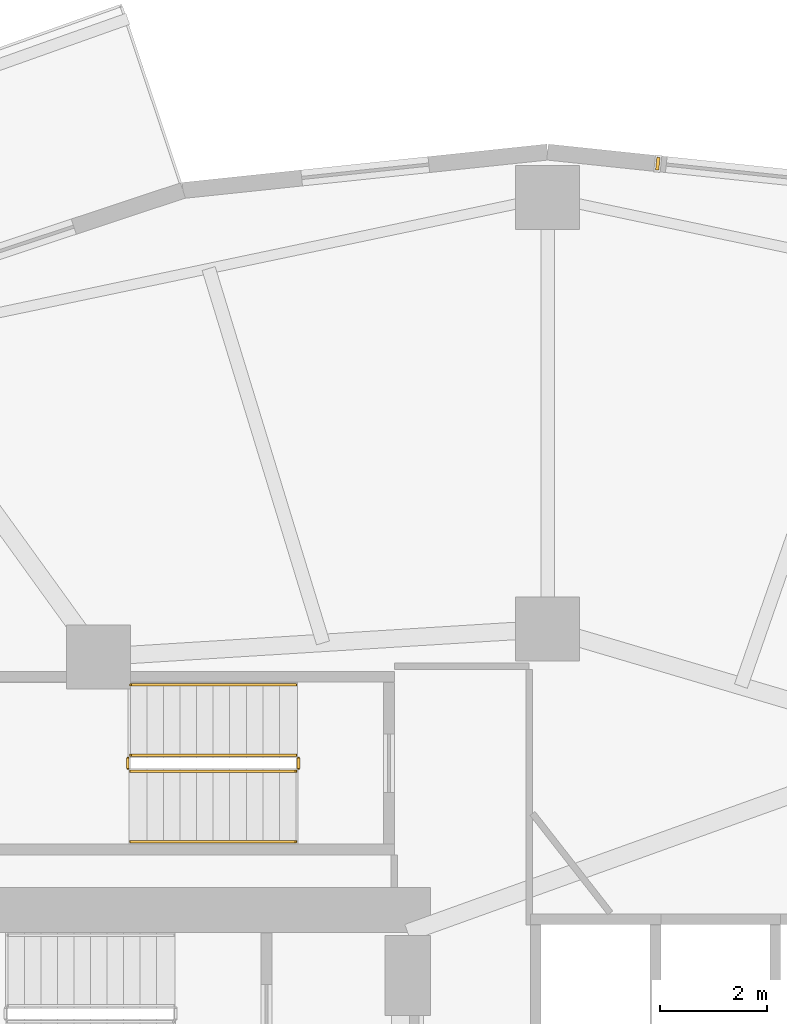
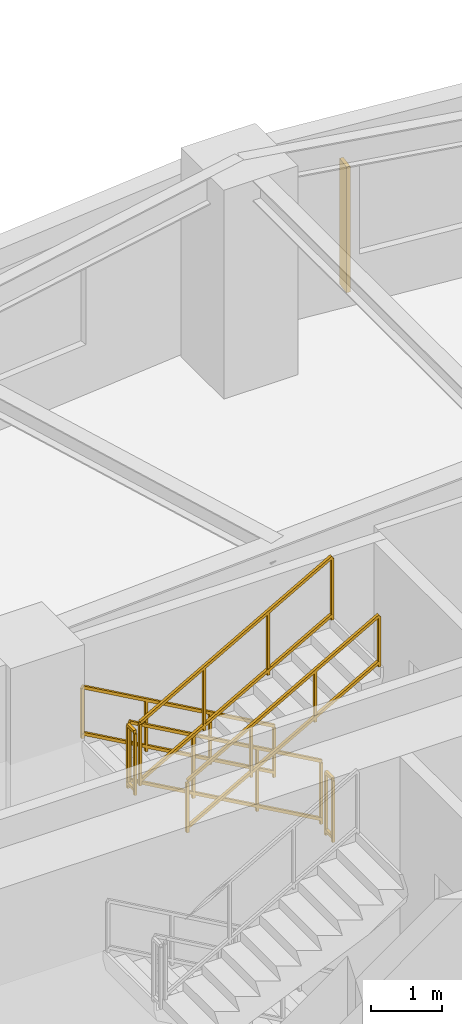
# One storey, part 19 of 19: 6 railings, 1 shading device.
"""IFC4 building model written with IfcOpenShell, lengths in metres."""

import ifcopenshell
import ifcopenshell.guid

model = None  # the IFC model being written
_history = None  # IfcOwnerHistory: only IFC2X3 demands one
_inside = {}  # id of a spatial element -> (the spatial element, [elements in it])
_under = {}  # id of a project, library or spatial element -> (it, [spatial elements below it])
_declared = {}  # id of a project -> (the project, [libraries it declares])
_typed = {}  # id of a type object -> (the type object, [elements of that type])
_made_of = {}  # id of a material, layer set ... -> (it, [elements and type objects made of it])


def new_model(schema):
    """Start an empty IFC model of exactly this schema.

    Asked for "IFC4X3", IfcOpenShell would pick the latest addendum, in which some entities
    have other attributes; the version numbers below select the first issue.
    IFC2X3 requires an IfcOwnerHistory on every rooted entity: one is made here for all.
    """
    global model, _history
    if schema == "IFC4X3":
        model = ifcopenshell.file(schema_version=(4, 3, 0, 0))
    else:
        model = ifcopenshell.file(schema=schema)
    _inside.clear()
    _under.clear()
    _declared.clear()
    _typed.clear()
    _made_of.clear()
    _history = None
    if model.schema == "IFC2X3":
        org = make("IfcOrganization", Name="unknown")
        user = make(
            "IfcPersonAndOrganization",
            ThePerson=make("IfcPerson", FamilyName="unknown"),
            TheOrganization=org,
        )
        app = make(
            "IfcApplication",
            ApplicationDeveloper=org,
            Version="unknown",
            ApplicationFullName="unknown",
            ApplicationIdentifier="unknown",
        )
        _history = make(
            "IfcOwnerHistory",
            OwningUser=user,
            OwningApplication=app,
            ChangeAction="ADDED",
            CreationDate=0,
        )
    return model


def make(cls, **values):
    """One entity of the class cls with the attributes given. An attribute that is None is left unset."""
    return model.create_entity(
        cls, **{name: value for name, value in values.items() if value is not None}
    )


def rooted(cls, **values):
    """An entity with a GlobalId (a new one), such as an element, a storey or a relation."""
    return make(cls, GlobalId=ifcopenshell.guid.new(), OwnerHistory=_history, **values)


def si_unit(unit_type, name, prefix=None):
    """IfcSIUnit, for example si_unit("LENGTHUNIT", "METRE", prefix="MILLI")."""
    return make("IfcSIUnit", UnitType=unit_type, Prefix=prefix, Name=name)


def assignment(units):
    """IfcUnitAssignment: the units of a project."""
    return None if units is None else make("IfcUnitAssignment", Units=units)


def point(xyz):
    """IfcCartesianPoint."""
    return None if xyz is None else make("IfcCartesianPoint", Coordinates=xyz)


def direction(xyz):
    """IfcDirection."""
    return None if xyz is None else make("IfcDirection", DirectionRatios=xyz)


def frame(location, z_axis=None, x_axis=None):
    """IfcAxis2Placement3D, a coordinate frame: its origin and axes. An axis left out is left unset."""
    return make(
        "IfcAxis2Placement3D",
        Location=point(location),
        Axis=direction(z_axis),
        RefDirection=direction(x_axis),
    )


def frame_2d(location, x_axis=None):
    """IfcAxis2Placement2D, a coordinate frame in the plane: its origin and x axis."""
    return make(
        "IfcAxis2Placement2D", Location=point(location), RefDirection=direction(x_axis)
    )


def origin():
    """The frame at (0, 0, 0) with its axes left unset."""
    return frame((0.0, 0.0, 0.0))


def origin_2d():
    """The frame at (0, 0) in the plane with its x axis left unset."""
    return frame_2d((0.0, 0.0))


def place(relative_to, where):
    """IfcLocalPlacement: puts the frame where relative to a parent placement (None: the world)."""
    return make(
        "IfcLocalPlacement", PlacementRelTo=relative_to, RelativePlacement=where
    )


def context(
    kind, dimensions, precision=None, world=None, true_north=None, identifier=None
):
    """IfcGeometricRepresentationContext, for example the 3D "Model" context."""
    return make(
        "IfcGeometricRepresentationContext",
        ContextIdentifier=identifier,
        ContextType=kind,
        CoordinateSpaceDimension=dimensions,
        Precision=precision,
        WorldCoordinateSystem=world,
        TrueNorth=true_north,
    )


def subcontext(parent, identifier, kind, view, scale=None):
    """IfcGeometricRepresentationSubContext, for example "Body" below "Model"."""
    return make(
        "IfcGeometricRepresentationSubContext",
        ContextIdentifier=identifier,
        ContextType=kind,
        ParentContext=parent,
        TargetScale=scale,
        TargetView=view,
    )


def project(units=None, contexts=None):
    """IfcProject with its units and contexts."""
    return rooted(
        "IfcProject",
        Name="project",
        RepresentationContexts=contexts,
        UnitsInContext=assignment(units),
    )


def spatial(cls, under=None, at=None, **own):
    """A site, building, storey or space (cls), placed at a placement, below another one or the project."""
    s = rooted(cls, ObjectPlacement=at, **own)
    if under is not None:
        _under.setdefault(under.id(), (under, []))[1].append(s)
    return s


def profile(cls, at=None, kind="AREA", **sizes):
    """A parametric profile (cls). Its sizes go by their IFC names, for example OverallWidth=200.0."""
    return make(cls, ProfileType=kind, Position=at, **sizes)


def rectangle(**sizes):
    """IfcRectangleProfileDef."""
    return profile("IfcRectangleProfileDef", **sizes)


def extrude(swept, where, along, depth):
    """IfcExtrudedAreaSolid: the profile swept, set in the frame where, extruded along a direction by depth."""
    return make(
        "IfcExtrudedAreaSolid",
        SweptArea=swept,
        Position=where,
        ExtrudedDirection=direction(along),
        Depth=depth,
    )


def shape(context_of_items, identifier, shape_type, items):
    """IfcShapeRepresentation: the items that make up one representation, for example the "Body"."""
    return make(
        "IfcShapeRepresentation",
        ContextOfItems=context_of_items,
        RepresentationIdentifier=identifier,
        RepresentationType=shape_type,
        Items=items,
    )


def material(Name=None, Category=None):
    """IfcMaterial."""
    return make("IfcMaterial", Name=Name, Category=Category)


def made_of(thing, what):
    """Note that an element or type object is made of a material, layer set ...; save() writes the relation."""
    if what is not None:
        _made_of.setdefault(what.id(), (what, []))[1].append(thing)
    return thing


def type_object(cls, material=None, **own):
    """A type object (cls), such as IfcWallType, which elements share."""
    return made_of(rooted(cls, **own), material)


def element(
    cls,
    number,
    at=None,
    inside=None,
    cuts=None,
    type_object=None,
    material=None,
    context=None,
    identifier="Body",
    shape_type=None,
    held_by="IfcProductDefinitionShape",
    body=None,
    shapes=None,
    **own,
):
    """One element of the class cls, such as IfcWall. Its Tag is "e" and its number.

    at: its placement. inside: the storey or other place that contains it. cuts: it is an
    opening in that element (IfcRelVoidsElement). A single representation is given by context,
    identifier, shape_type and body (its items); several are given by shapes. held_by: the class
    of the entity that holds the representations. save() writes the other relations.
    """
    e = rooted(cls, Tag="e%d" % number, ObjectPlacement=at, **own)
    if body is not None:
        shapes = [shape(context, identifier, shape_type, body)]
    if shapes is not None:
        e.Representation = make(held_by, Representations=shapes)
    if inside is not None:
        _inside.setdefault(inside.id(), (inside, []))[1].append(e)
    if cuts is not None:
        rooted(
            "IfcRelVoidsElement", RelatingBuildingElement=cuts, RelatedOpeningElement=e
        )
    if type_object is not None:
        _typed.setdefault(type_object.id(), (type_object, []))[1].append(e)
    return made_of(e, material)


def aggregate(whole, parts):
    """IfcRelAggregates: a whole, such as a stair, and the parts it consists of."""
    return rooted("IfcRelAggregates", RelatingObject=whole, RelatedObjects=parts)


def save(model, path):
    """Write the relations noted so far, then the file.

    IfcRelAggregates (storeys below a building ...), IfcRelContainedInSpatialStructure (elements
    in a storey), IfcRelDefinesByType, IfcRelAssociatesMaterial and IfcRelDeclares: one each for
    every whole, place, type object, material and project.
    """
    for whole, parts in _under.values():
        aggregate(whole, parts)
    for where, things in _inside.values():
        rooted(
            "IfcRelContainedInSpatialStructure",
            RelatedElements=things,
            RelatingStructure=where,
        )
    for kind, things in _typed.values():
        rooted("IfcRelDefinesByType", RelatedObjects=things, RelatingType=kind)
    for what, things in _made_of.values():
        rooted("IfcRelAssociatesMaterial", RelatedObjects=things, RelatingMaterial=what)
    for by, libraries in _declared.values():
        rooted("IfcRelDeclares", RelatingContext=by, RelatedDefinitions=libraries)
    model.write(path)


model = new_model("IFC4")

# Units and contexts
model_context = context("Model", 3, precision=1e-05, world=origin(), true_north=direction((0.0, 1.0)))
body_context = subcontext(model_context, "Body", "Model", "MODEL_VIEW")
ifc_project = project(units=[si_unit("LENGTHUNIT", "METRE"), si_unit("AREAUNIT", "SQUARE_METRE"), si_unit("VOLUMEUNIT", "CUBIC_METRE"), si_unit("PLANEANGLEUNIT", "RADIAN"), si_unit("MASSUNIT", "GRAM", prefix="KILO")], contexts=[model_context])

# Site, building, storey
site_placement = place(None, origin())
site = spatial("IfcSite", under=ifc_project, at=site_placement, CompositionType="ELEMENT")
building_placement = place(site_placement, origin())
building = spatial("IfcBuilding", under=site, at=building_placement, Name="Kolvaren Gate Tower and Convention Centre", CompositionType="ELEMENT")
storey_placement = place(building_placement, frame((0.0, 0.0, 68.85009765625)))
storey = spatial("IfcBuildingStorey", under=building, at=storey_placement, Name="L16", CompositionType="ELEMENT", Elevation=68.85009765625)

# Railings
ifc_material_1 = material(Name="Brushed Stainless Steel Grade 316L", Category="steel")
railing_type_1 = type_object("IfcRailingType", Name="ARCH-RL-GUARD-1150", PredefinedType="GUARDRAIL", material=ifc_material_1)
railing_1_placement = place(storey_placement, frame((25.39990234375, 36.830078125, 0.1748046875)))
element("IfcRailing", 1, at=railing_1_placement, inside=storey, type_object=railing_type_1, Name="L16 ST-T3 stair guard 1", PredefinedType="GUARDRAIL", context=body_context, shape_type="SweptSolid", body=[
    extrude(rectangle(XDim=0.048095703125, YDim=0.048095703125, at=origin_2d()), frame((0.0, 0.0, 1.076171875), z_axis=(-0.870814364268, 0.0, 0.491611984175), x_axis=(0.0, -1.0, 0.0)), (0.0, 0.0, 1.0), 3.559814453125),
    extrude(rectangle(XDim=0.048095703125, YDim=0.048095703125, at=origin_2d()), frame((0.0, 0.0, 0.083984375), z_axis=(-0.870814364268, 0.0, 0.491611984175), x_axis=(0.0, -1.0, 0.0)), (0.0, 0.0, 1.0), 3.559814453125),
    extrude(rectangle(XDim=0.0419921875, YDim=0.0419921875, at=origin_2d()), origin(), (0.0, 0.0, 1.0), 1.050048828125),
    extrude(rectangle(XDim=0.0419921875, YDim=0.0419921875, at=origin_2d()), frame((-3.099853515625, 0.0, 1.75)), (0.0, 0.0, 1.0), 1.050048828125),
    extrude(rectangle(XDim=0.0419921875, YDim=0.0419921875, at=origin_2d()), frame((-1.033203125, 0.0, 0.583251953125)), (0.0, 0.0, 1.0), 1.050048828125),
    extrude(rectangle(XDim=0.0419921875, YDim=0.0419921875, at=origin_2d()), frame((-2.066650390625, 0.0, 1.166748046875)), (0.0, 0.0, 1.0), 1.050048828125),
])
railing_2_placement = place(storey_placement, frame((22.25, 36.780029296875, 1.9248046875)))
element("IfcRailing", 2, at=railing_2_placement, inside=storey, type_object=railing_type_1, Name="L16 ST-T3 stair guard 2", PredefinedType="GUARDRAIL", context=body_context, shape_type="SweptSolid", body=[
    extrude(rectangle(XDim=0.048095703125, YDim=0.048095703125, at=origin_2d()), frame((0.0, 0.0, 1.076171875), z_axis=(0.0, -1.0, 0.0), x_axis=(1.0, 0.0, 0.0)), (0.0, 0.0, 1.0), 0.199951171875),
    extrude(rectangle(XDim=0.048095703125, YDim=0.048095703125, at=origin_2d()), frame((0.0, 0.0, 0.083984375), z_axis=(0.0, -1.0, 0.0), x_axis=(1.0, 0.0, 0.0)), (0.0, 0.0, 1.0), 0.199951171875),
    extrude(rectangle(XDim=0.0419921875, YDim=0.0419921875, at=origin_2d()), origin(), (0.0, 0.0, 1.0), 1.050048828125),
    extrude(rectangle(XDim=0.0419921875, YDim=0.0419921875, at=origin_2d()), frame((0.0, -0.199951171875, 0.0)), (0.0, 0.0, 1.0), 1.050048828125),
])
railing_3_placement = place(storey_placement, frame((22.300048828125, 36.530029296875, 2.099853515625)))
element("IfcRailing", 3, at=railing_3_placement, inside=storey, type_object=railing_type_1, Name="L16 ST-T3 stair guard 3", PredefinedType="GUARDRAIL", context=body_context, shape_type="SweptSolid", body=[
    extrude(rectangle(XDim=0.048095703125, YDim=0.048095703125, at=origin_2d()), frame((0.0, 0.0, 1.076171875), z_axis=(0.870814364268, 0.0, 0.491611984175), x_axis=(0.0, 1.0, 0.0)), (0.0, 0.0, 1.0), 3.559814453125),
    extrude(rectangle(XDim=0.048095703125, YDim=0.048095703125, at=origin_2d()), frame((0.0, 0.0, 0.083984375), z_axis=(0.870814364268, 0.0, 0.491611984175), x_axis=(0.0, 1.0, 0.0)), (0.0, 0.0, 1.0), 3.559814453125),
    extrude(rectangle(XDim=0.0419921875, YDim=0.0419921875, at=origin_2d()), origin(), (0.0, 0.0, 1.0), 1.050048828125),
    extrude(rectangle(XDim=0.0419921875, YDim=0.0419921875, at=origin_2d()), frame((3.099853515625, 0.0, 1.75)), (0.0, 0.0, 1.0), 1.050048828125),
    extrude(rectangle(XDim=0.0419921875, YDim=0.0419921875, at=origin_2d()), frame((1.033203125, 0.0, 0.583251953125)), (0.0, 0.0, 1.0), 1.050048828125),
    extrude(rectangle(XDim=0.0419921875, YDim=0.0419921875, at=origin_2d()), frame((2.066650390625, 0.0, 1.166748046875)), (0.0, 0.0, 1.0), 1.050048828125),
])
railing_4_placement = place(storey_placement, frame((25.449951171875, 36.780029296875, 0.0)))
element("IfcRailing", 4, at=railing_4_placement, inside=storey, type_object=railing_type_1, Name="L16 ST-T3 stair guard 4", PredefinedType="GUARDRAIL", context=body_context, shape_type="SweptSolid", body=[
    extrude(rectangle(XDim=0.048095703125, YDim=0.048095703125, at=origin_2d()), frame((0.0, 0.0, 1.076171875), z_axis=(0.0, -1.0, 0.0), x_axis=(1.0, 0.0, 0.0)), (0.0, 0.0, 1.0), 0.199951171875),
    extrude(rectangle(XDim=0.048095703125, YDim=0.048095703125, at=origin_2d()), frame((0.0, 0.0, 0.083984375), z_axis=(0.0, -1.0, 0.0), x_axis=(1.0, 0.0, 0.0)), (0.0, 0.0, 1.0), 0.199951171875),
    extrude(rectangle(XDim=0.0419921875, YDim=0.0419921875, at=origin_2d()), origin(), (0.0, 0.0, 1.0), 1.050048828125),
    extrude(rectangle(XDim=0.0419921875, YDim=0.0419921875, at=origin_2d()), frame((0.0, -0.199951171875, 0.0)), (0.0, 0.0, 1.0), 1.050048828125),
])
railing_type_2 = type_object("IfcRailingType", Name="ARCH-RL-HANDRAIL-920", PredefinedType="HANDRAIL", material=ifc_material_1)
railing_5_placement = place(storey_placement, frame((25.39990234375, 38.14990234375, 0.1748046875)))
element("IfcRailing", 5, at=railing_5_placement, inside=storey, type_object=railing_type_2, Name="L16 ST-T3 stair handrail 1", PredefinedType="HANDRAIL", context=body_context, shape_type="SweptSolid", body=[
    extrude(rectangle(XDim=0.048095703125, YDim=0.048095703125, at=origin_2d()), frame((0.0, 0.0, 0.8759765625), z_axis=(-0.870814364268, 0.0, 0.491611984175), x_axis=(0.0, -1.0, 0.0)), (0.0, 0.0, 1.0), 3.559814453125),
    extrude(rectangle(XDim=0.048095703125, YDim=0.048095703125, at=origin_2d()), frame((0.0, 0.0, 0.083984375), z_axis=(-0.870814364268, 0.0, 0.491611984175), x_axis=(0.0, -1.0, 0.0)), (0.0, 0.0, 1.0), 3.559814453125),
    extrude(rectangle(XDim=0.0419921875, YDim=0.0419921875, at=origin_2d()), origin(), (0.0, 0.0, 1.0), 0.849853515625),
    extrude(rectangle(XDim=0.0419921875, YDim=0.0419921875, at=origin_2d()), frame((-3.099853515625, 0.0, 1.75)), (0.0, 0.0, 1.0), 0.849853515625),
    extrude(rectangle(XDim=0.0419921875, YDim=0.0419921875, at=origin_2d()), frame((-1.033203125, 0.0, 0.583251953125)), (0.0, 0.0, 1.0), 0.849853515625),
    extrude(rectangle(XDim=0.0419921875, YDim=0.0419921875, at=origin_2d()), frame((-2.066650390625, 0.0, 1.166748046875)), (0.0, 0.0, 1.0), 0.849853515625),
])
railing_6_placement = place(storey_placement, frame((22.300048828125, 35.2099609375, 2.099853515625)))
element("IfcRailing", 6, at=railing_6_placement, inside=storey, type_object=railing_type_2, Name="L16 ST-T3 stair handrail 2", PredefinedType="HANDRAIL", context=body_context, shape_type="SweptSolid", body=[
    extrude(rectangle(XDim=0.048095703125, YDim=0.048095703125, at=origin_2d()), frame((0.0, 0.0, 0.8759765625), z_axis=(0.870814364268, 0.0, 0.491611984175), x_axis=(0.0, 1.0, 0.0)), (0.0, 0.0, 1.0), 3.559814453125),
    extrude(rectangle(XDim=0.048095703125, YDim=0.048095703125, at=origin_2d()), frame((0.0, 0.0, 0.083984375), z_axis=(0.870814364268, 0.0, 0.491611984175), x_axis=(0.0, 1.0, 0.0)), (0.0, 0.0, 1.0), 3.559814453125),
    extrude(rectangle(XDim=0.0419921875, YDim=0.0419921875, at=origin_2d()), origin(), (0.0, 0.0, 1.0), 0.849853515625),
    extrude(rectangle(XDim=0.0419921875, YDim=0.0419921875, at=origin_2d()), frame((3.099853515625, 0.0, 1.75)), (0.0, 0.0, 1.0), 0.849853515625),
    extrude(rectangle(XDim=0.0419921875, YDim=0.0419921875, at=origin_2d()), frame((1.033203125, 0.0, 0.583251953125)), (0.0, 0.0, 1.0), 0.849853515625),
    extrude(rectangle(XDim=0.0419921875, YDim=0.0419921875, at=origin_2d()), frame((2.066650390625, 0.0, 1.166748046875)), (0.0, 0.0, 1.0), 0.849853515625),
])

# Shading device
ifc_material_2 = material(Name="Kiln-Fired Bogota Terracotta Ceramic Louvre Profile", Category="masonry")
shading_device_type = type_object("IfcShadingDeviceType", Name="ARCH-SHD-FIN-180", PredefinedType="JALOUSIE", material=ifc_material_2)
shading_device_placement = place(storey_placement, frame((32.193603515625, 47.93212890625, 0.219970703125), z_axis=(0.0, 0.0, 1.0), x_axis=(0.994498884311, -0.104747167526, 0.0)))
element("IfcShadingDevice", 7, at=shading_device_placement, inside=storey, type_object=shading_device_type, Name="Ceramic Vertical Brise-Soleil Fin FN-L16-05", PredefinedType="JALOUSIE", context=body_context, shape_type="SweptSolid", body=[
    extrude(rectangle(XDim=0.06005859375, YDim=0.239990234375, at=origin_2d()), origin(), (0.0, 0.0, 1.0), 2.14990234375),
])

save(model, "model.ifc")
